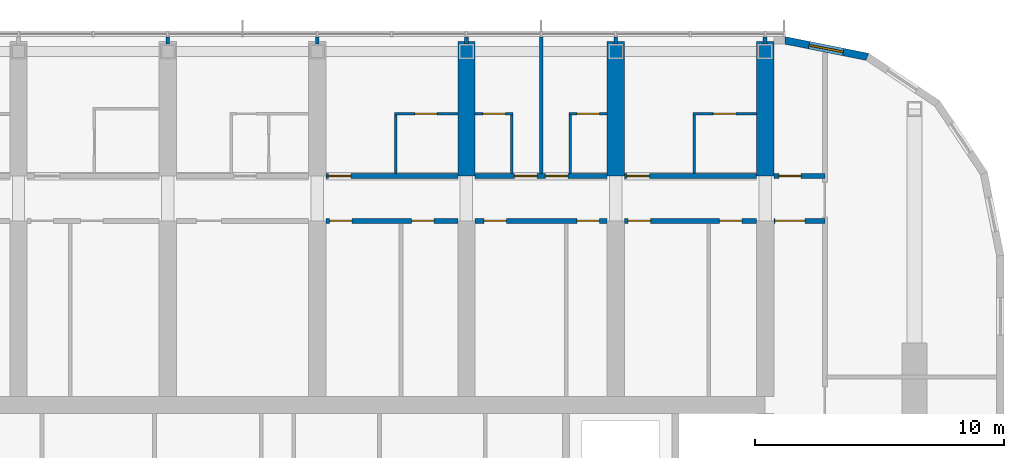
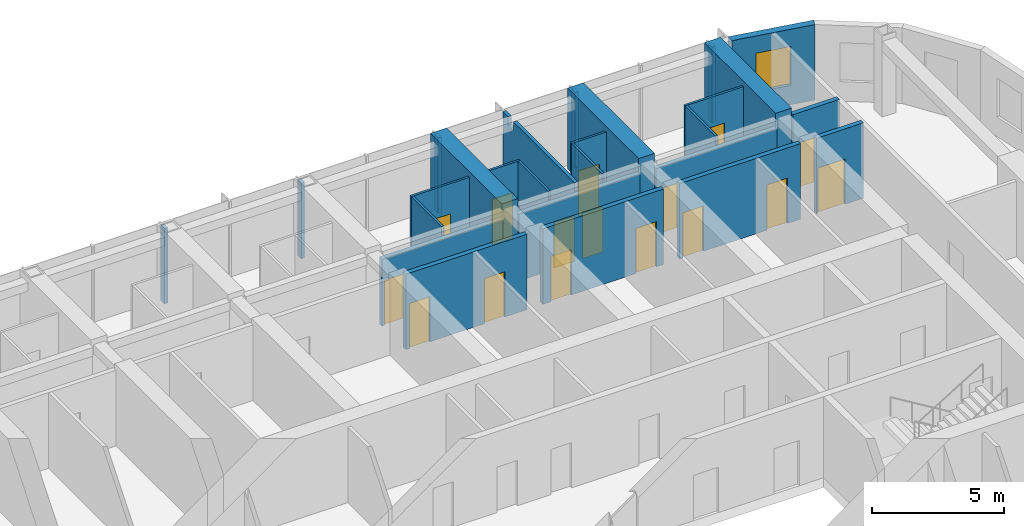
# One storey, part 20 of 28: 26 walls, 16 doors, 1 window, 17 openings.
"""IFC4 building model written with IfcOpenShell, lengths in metres."""

from ifc_helpers import new_model, si_unit, direction, frame, frame_2d, origin, place, context, subcontext, project, spatial, polyline, rectangle, outline, extrude, material, layer, layer_set, type_object, element, fill, save


model = new_model("IFC4")

# Units and contexts
model_context = context("Model", 3, precision=1e-05, world=origin(), true_north=direction((0.0, 1.0)))
body_context = subcontext(model_context, "Body", "Model", "MODEL_VIEW")
ifc_project = project(units=[si_unit("LENGTHUNIT", "METRE"), si_unit("AREAUNIT", "SQUARE_METRE"), si_unit("VOLUMEUNIT", "CUBIC_METRE"), si_unit("PLANEANGLEUNIT", "RADIAN"), si_unit("MASSUNIT", "GRAM", prefix="KILO")], contexts=[model_context])

# Site, building, storey
site_placement = place(None, origin())
site = spatial("IfcSite", under=ifc_project, at=site_placement, CompositionType="ELEMENT")
building_placement = place(site_placement, origin())
building = spatial("IfcBuilding", under=site, at=building_placement, Name="Orbita Commons", CompositionType="ELEMENT")
storey_placement = place(building_placement, frame((0.0, 0.0, 216.550048828125)))
storey = spatial("IfcBuildingStorey", under=building, at=storey_placement, Name="L53", CompositionType="ELEMENT", Elevation=216.550048828125)

# Wall, opening, door
ifc_material_1 = material(Name="Concrete blockwork", Category="masonry")
ifc_layer_1 = layer(ifc_material_1, 0.199951171875)
ifc_layer_set_1 = layer_set([ifc_layer_1], Name="Concrete blockwork")
wall_type_1 = type_object("IfcWallType", Name="Corridor wall 200 blockwork", PredefinedType="SOLIDWALL", material=ifc_layer_set_1)
wall_1_placement = place(storey_placement, frame((48.35009765625, 47.39990234375, 0.0), z_axis=(0.0, 0.0, 1.0), x_axis=(1.0, 0.0, 0.0)))
wall_1 = element("IfcWall", 1, at=wall_1_placement, inside=storey, type_object=wall_type_1, Name="Corridor wall 200 blockwork L53", PredefinedType="SOLIDWALL", context=body_context, shape_type="SweptSolid", body=[
    extrude(outline(polyline([(0.0, 0.0), (5.2998046875, 0.0), (5.300048828125, 3.099853515625), (0.0, 3.099853515625), (0.0, 0.0)])), frame((0.0, 0.10009765625, 0.0), z_axis=(0.0, -1.0, 0.0), x_axis=(1.0, 0.0, 0.0)), (0.0, 0.0, 1.0), 0.199951171875),
])
opening_1_placement = place(wall_1_placement, frame((0.10009765625, 0.0, 0.0)))
opening_1 = element("IfcOpeningElement", 2, at=opening_1_placement, cuts=wall_1, Name="Opening D11", PredefinedType="OPENING", context=body_context, shape_type="SweptSolid", body=[
    extrude(rectangle(XDim=0.89990234375, YDim=2.10009765625, at=frame_2d((0.449951171875, 1.050048828125))), frame((0.0, 0.10986328125, 0.0), z_axis=(0.0, -1.0, 0.0), x_axis=(1.0, 0.0, 0.0)), (0.0, 0.0, 1.0), 0.219970703125),
])
ifc_material_2 = material(Name="Steel-faced fire door leaf", Category="steel")
door_type_1 = type_object("IfcDoorType", Name="Corridor door 20 min 900x2100", OperationType="SINGLE_SWING_LEFT", PredefinedType="DOOR", material=ifc_material_2)
door_1_placement = place(opening_1_placement, origin())
door_1 = element("IfcDoor", 3, at=door_1_placement, inside=storey, type_object=door_type_1, Name="Studio apartment with kitchenette L53-N10 door", OperationType="SINGLE_SWING_LEFT", OverallHeight=2.10009765625, OverallWidth=0.89990234375, PredefinedType="DOOR", context=body_context, shape_type="SweptSolid", body=[
    extrude(rectangle(XDim=0.89990234375, YDim=2.10009765625, at=frame_2d((0.449951171875, 1.050048828125))), frame((0.0, 0.02490234375, 0.0), z_axis=(0.0, -1.0, 0.0), x_axis=(1.0, 0.0, 0.0)), (0.0, 0.0, 1.0), 0.050048828125),
])
fill(opening_1, door_1)

# Wall, openings, doors
wall_2_placement = place(storey_placement, frame((54.35009765625, 47.39990234375, 0.0), z_axis=(0.0, 0.0, 1.0), x_axis=(1.0, 0.0, 0.0)))
wall_2 = element("IfcWall", 4, at=wall_2_placement, inside=storey, type_object=wall_type_1, Name="Corridor wall 200 blockwork L53", PredefinedType="SOLIDWALL", context=body_context, shape_type="SweptSolid", body=[
    extrude(outline(polyline([(0.0, 0.0), (5.2998046875, 0.0), (5.300048828125, 3.099853515625), (0.0, 3.099853515625), (0.0, 0.0)])), frame((0.0, 0.10009765625, 0.0), z_axis=(0.0, -1.0, 0.0), x_axis=(1.0, 0.0, 0.0)), (0.0, 0.0, 1.0), 0.199951171875),
])
opening_2_placement = place(wall_2_placement, frame((1.574951171875, 0.0, 0.0)))
opening_2 = element("IfcOpeningElement", 5, at=opening_2_placement, cuts=wall_2, Name="Opening D11", PredefinedType="OPENING", context=body_context, shape_type="SweptSolid", body=[
    extrude(rectangle(XDim=0.89990234375, YDim=2.10009765625, at=frame_2d((0.449951171875, 1.050048828125))), frame((0.0, 0.10986328125, 0.0), z_axis=(0.0, -1.0, 0.0), x_axis=(1.0, 0.0, 0.0)), (0.0, 0.0, 1.0), 0.219970703125),
])
opening_3_placement = place(wall_2_placement, frame((2.824951171875, 0.0, 0.0)))
opening_3 = element("IfcOpeningElement", 6, at=opening_3_placement, cuts=wall_2, Name="Opening D11", PredefinedType="OPENING", context=body_context, shape_type="SweptSolid", body=[
    extrude(rectangle(XDim=0.89990234375, YDim=2.10009765625, at=frame_2d((0.449951171875, 1.050048828125))), frame((0.0, 0.10986328125, 0.0), z_axis=(0.0, -1.0, 0.0), x_axis=(1.0, 0.0, 0.0)), (0.0, 0.0, 1.0), 0.219970703125),
])
door_2_placement = place(opening_2_placement, origin())
door_2 = element("IfcDoor", 7, at=door_2_placement, inside=storey, type_object=door_type_1, Name="Cluster bedroom L53-N12 door", OperationType="SINGLE_SWING_LEFT", OverallHeight=2.10009765625, OverallWidth=0.89990234375, PredefinedType="DOOR", context=body_context, shape_type="SweptSolid", body=[
    extrude(rectangle(XDim=0.89990234375, YDim=2.10009765625, at=frame_2d((0.449951171875, 1.050048828125))), frame((0.0, 0.02490234375, 0.0), z_axis=(0.0, -1.0, 0.0), x_axis=(1.0, 0.0, 0.0)), (0.0, 0.0, 1.0), 0.050048828125),
])
fill(opening_2, door_2)
door_3_placement = place(opening_3_placement, origin())
door_3 = element("IfcDoor", 8, at=door_3_placement, inside=storey, type_object=door_type_1, Name="Cluster bedroom L53-N13 door", OperationType="SINGLE_SWING_LEFT", OverallHeight=2.10009765625, OverallWidth=0.89990234375, PredefinedType="DOOR", context=body_context, shape_type="SweptSolid", body=[
    extrude(rectangle(XDim=0.89990234375, YDim=2.10009765625, at=frame_2d((0.449951171875, 1.050048828125))), frame((0.0, 0.02490234375, 0.0), z_axis=(0.0, -1.0, 0.0), x_axis=(1.0, 0.0, 0.0)), (0.0, 0.0, 1.0), 0.050048828125),
])
fill(opening_3, door_3)

# Wall, opening, door
wall_3_placement = place(storey_placement, frame((60.35009765625, 47.39990234375, 0.0), z_axis=(0.0, 0.0, 1.0), x_axis=(1.0, 0.0, 0.0)))
wall_3 = element("IfcWall", 9, at=wall_3_placement, inside=storey, type_object=wall_type_1, Name="Corridor wall 200 blockwork L53", PredefinedType="SOLIDWALL", context=body_context, shape_type="SweptSolid", body=[
    extrude(outline(polyline([(0.0, 0.0), (5.2998046875, 0.0), (5.300048828125, 3.099853515625), (0.0, 3.099853515625), (0.0, 0.0)])), frame((0.0, 0.10009765625, 0.0), z_axis=(0.0, -1.0, 0.0), x_axis=(1.0, 0.0, 0.0)), (0.0, 0.0, 1.0), 0.199951171875),
])
opening_4_placement = place(wall_3_placement, frame((0.10009765625, 0.0, 0.0)))
opening_4 = element("IfcOpeningElement", 10, at=opening_4_placement, cuts=wall_3, Name="Opening D11", PredefinedType="OPENING", context=body_context, shape_type="SweptSolid", body=[
    extrude(rectangle(XDim=0.89990234375, YDim=2.10009765625, at=frame_2d((0.449951171875, 1.050048828125))), frame((0.0, 0.10986328125, 0.0), z_axis=(0.0, -1.0, 0.0), x_axis=(1.0, 0.0, 0.0)), (0.0, 0.0, 1.0), 0.219970703125),
])
door_4_placement = place(opening_4_placement, origin())
door_4 = element("IfcDoor", 11, at=door_4_placement, inside=storey, type_object=door_type_1, Name="Studio apartment with kitchenette L53-N14 door", OperationType="SINGLE_SWING_LEFT", OverallHeight=2.10009765625, OverallWidth=0.89990234375, PredefinedType="DOOR", context=body_context, shape_type="SweptSolid", body=[
    extrude(rectangle(XDim=0.89990234375, YDim=2.10009765625, at=frame_2d((0.449951171875, 1.050048828125))), frame((0.0, 0.02490234375, 0.0), z_axis=(0.0, -1.0, 0.0), x_axis=(1.0, 0.0, 0.0)), (0.0, 0.0, 1.0), 0.050048828125),
])
fill(opening_4, door_4)

wall_4_placement = place(storey_placement, frame((66.35009765625, 47.39990234375, 0.0), z_axis=(0.0, 0.0, 1.0), x_axis=(1.0, 0.0, 0.0)))
wall_4 = element("IfcWall", 12, at=wall_4_placement, inside=storey, type_object=wall_type_1, Name="Corridor wall 200 blockwork L53", PredefinedType="SOLIDWALL", context=body_context, shape_type="SweptSolid", body=[
    extrude(rectangle(XDim=2.0498046875, YDim=0.199951171875, at=frame_2d((1.02490234375, 0.0))), origin(), (0.0, 0.0, 1.0), 3.5),
])
opening_5_placement = place(wall_4_placement, frame((0.199951171875, 0.0, 0.0)))
opening_5 = element("IfcOpeningElement", 13, at=opening_5_placement, cuts=wall_4, Name="Opening D05", PredefinedType="OPENING", context=body_context, shape_type="SweptSolid", body=[
    extrude(rectangle(XDim=0.89990234375, YDim=2.10009765625, at=frame_2d((0.449951171875, 1.050048828125))), frame((0.0, 0.10986328125, 0.0), z_axis=(0.0, -1.0, 0.0), x_axis=(1.0, 0.0, 0.0)), (0.0, 0.0, 1.0), 0.219970703125),
])
ifc_material_3 = material(Name="Steel-faced fire door leaf", Category="steel")
door_type_2 = type_object("IfcDoorType", Name="Service door 20 min 900x2100", OperationType="SINGLE_SWING_LEFT", PredefinedType="DOOR", material=ifc_material_3)
door_5_placement = place(opening_5_placement, origin())
door_5 = element("IfcDoor", 14, at=door_5_placement, inside=storey, type_object=door_type_2, Name="Linen store L53-KEN door", OperationType="SINGLE_SWING_LEFT", OverallHeight=2.10009765625, OverallWidth=0.89990234375, PredefinedType="DOOR", context=body_context, shape_type="SweptSolid", body=[
    extrude(rectangle(XDim=0.89990234375, YDim=2.10009765625, at=frame_2d((0.449951171875, 1.050048828125))), frame((0.0, 0.02490234375, 0.0), z_axis=(0.0, -1.0, 0.0), x_axis=(1.0, 0.0, 0.0)), (0.0, 0.0, 1.0), 0.050048828125),
])
fill(opening_5, door_5)

# Wall, openings, doors
ifc_material_4 = material(Name="Hollow concrete block 200", Category="concrete")
ifc_layer_2 = layer(ifc_material_4, 0.199951171875)
ifc_layer_set_2 = layer_set([ifc_layer_2], Name="Hollow concrete block 200")
wall_type_2 = type_object("IfcWallType", Name="Corridor wall 200 hollow concrete block", PredefinedType="SOLIDWALL", material=ifc_layer_set_2)
wall_5_placement = place(storey_placement, frame((48.35009765625, 45.60009765625, 0.0), z_axis=(0.0, 0.0, 1.0), x_axis=(1.0, 0.0, 0.0)))
wall_5 = element("IfcWall", 15, at=wall_5_placement, inside=storey, type_object=wall_type_2, Name="Corridor wall 200 hollow concrete block L53", PredefinedType="SOLIDWALL", context=body_context, shape_type="SweptSolid", body=[
    extrude(rectangle(XDim=5.2998046875, YDim=0.199951171875, at=frame_2d((2.64990234375, 0.0))), origin(), (0.0, 0.0, 1.0), 3.5),
])
opening_6_placement = place(wall_5_placement, frame((0.14990234375, 0.0, 0.0)))
opening_6 = element("IfcOpeningElement", 16, at=opening_6_placement, cuts=wall_5, Name="Opening D11", PredefinedType="OPENING", context=body_context, shape_type="SweptSolid", body=[
    extrude(rectangle(XDim=0.89990234375, YDim=2.10009765625, at=frame_2d((0.449951171875, 1.050048828125))), frame((0.0, 0.10986328125, 0.0), z_axis=(0.0, -1.0, 0.0), x_axis=(1.0, 0.0, 0.0)), (0.0, 0.0, 1.0), 0.219970703125),
])
opening_7_placement = place(wall_5_placement, frame((3.445068359375, 0.0, 0.0)))
opening_7 = element("IfcOpeningElement", 17, at=opening_7_placement, cuts=wall_5, Name="Opening D11", PredefinedType="OPENING", context=body_context, shape_type="SweptSolid", body=[
    extrude(rectangle(XDim=0.89990234375, YDim=2.10009765625, at=frame_2d((0.449951171875, 1.050048828125))), frame((0.0, 0.10986328125, 0.0), z_axis=(0.0, -1.0, 0.0), x_axis=(1.0, 0.0, 0.0)), (0.0, 0.0, 1.0), 0.219970703125),
])
door_6_placement = place(opening_6_placement, origin())
door_6 = element("IfcDoor", 18, at=door_6_placement, inside=storey, type_object=door_type_1, Name="Bulk and luggage store L53-BDN48 door", OperationType="SINGLE_SWING_LEFT", OverallHeight=2.10009765625, OverallWidth=0.89990234375, PredefinedType="DOOR", context=body_context, shape_type="SweptSolid", body=[
    extrude(rectangle(XDim=0.89990234375, YDim=2.10009765625, at=frame_2d((0.449951171875, 1.050048828125))), frame((0.0, 0.02490234375, 0.0), z_axis=(0.0, -1.0, 0.0), x_axis=(1.0, 0.0, 0.0)), (0.0, 0.0, 1.0), 0.050048828125),
])
fill(opening_6, door_6)
door_7_placement = place(opening_7_placement, origin())
door_7 = element("IfcDoor", 19, at=door_7_placement, inside=storey, type_object=door_type_1, Name="Sprinkler valve room L53-BDN48n door", OperationType="SINGLE_SWING_LEFT", OverallHeight=2.10009765625, OverallWidth=0.89990234375, PredefinedType="DOOR", context=body_context, shape_type="SweptSolid", body=[
    extrude(rectangle(XDim=0.89990234375, YDim=2.10009765625, at=frame_2d((0.449951171875, 1.050048828125))), frame((0.0, 0.02490234375, 0.0), z_axis=(0.0, -1.0, 0.0), x_axis=(1.0, 0.0, 0.0)), (0.0, 0.0, 1.0), 0.050048828125),
])
fill(opening_7, door_7)

wall_6_placement = place(storey_placement, frame((54.35009765625, 45.60009765625, 0.0), z_axis=(0.0, 0.0, 1.0), x_axis=(1.0, 0.0, 0.0)))
wall_6 = element("IfcWall", 20, at=wall_6_placement, inside=storey, type_object=wall_type_2, Name="Corridor wall 200 hollow concrete block L53", PredefinedType="SOLIDWALL", context=body_context, shape_type="SweptSolid", body=[
    extrude(rectangle(XDim=5.2998046875, YDim=0.199951171875, at=frame_2d((2.64990234375, 0.0))), origin(), (0.0, 0.0, 1.0), 3.5),
])
opening_8_placement = place(wall_6_placement, frame((0.35009765625, 0.0, 0.0)))
opening_8 = element("IfcOpeningElement", 21, at=opening_8_placement, cuts=wall_6, Name="Opening D11", PredefinedType="OPENING", context=body_context, shape_type="SweptSolid", body=[
    extrude(rectangle(XDim=0.89990234375, YDim=2.10009765625, at=frame_2d((0.449951171875, 1.050048828125))), frame((0.0, 0.10986328125, 0.0), z_axis=(0.0, -1.0, 0.0), x_axis=(1.0, 0.0, 0.0)), (0.0, 0.0, 1.0), 0.219970703125),
])
opening_9_placement = place(wall_6_placement, frame((4.090087890625, 0.0, 0.0)))
opening_9 = element("IfcOpeningElement", 22, at=opening_9_placement, cuts=wall_6, Name="Opening D11", PredefinedType="OPENING", context=body_context, shape_type="SweptSolid", body=[
    extrude(rectangle(XDim=0.89990234375, YDim=2.10009765625, at=frame_2d((0.449951171875, 1.050048828125))), frame((0.0, 0.10986328125, 0.0), z_axis=(0.0, -1.0, 0.0), x_axis=(1.0, 0.0, 0.0)), (0.0, 0.0, 1.0), 0.219970703125),
])
door_8_placement = place(opening_8_placement, origin())
door_8 = element("IfcDoor", 23, at=door_8_placement, inside=storey, type_object=door_type_1, Name="Parcel and post room L53-BDN54 door", OperationType="SINGLE_SWING_LEFT", OverallHeight=2.10009765625, OverallWidth=0.89990234375, PredefinedType="DOOR", context=body_context, shape_type="SweptSolid", body=[
    extrude(rectangle(XDim=0.89990234375, YDim=2.10009765625, at=frame_2d((0.449951171875, 1.050048828125))), frame((0.0, 0.02490234375, 0.0), z_axis=(0.0, -1.0, 0.0), x_axis=(1.0, 0.0, 0.0)), (0.0, 0.0, 1.0), 0.050048828125),
])
fill(opening_8, door_8)
door_9_placement = place(opening_9_placement, origin())
door_9 = element("IfcDoor", 24, at=door_9_placement, inside=storey, type_object=door_type_1, Name="Battery and UPS room L53-BDN54n door", OperationType="SINGLE_SWING_LEFT", OverallHeight=2.10009765625, OverallWidth=0.89990234375, PredefinedType="DOOR", context=body_context, shape_type="SweptSolid", body=[
    extrude(rectangle(XDim=0.89990234375, YDim=2.10009765625, at=frame_2d((0.449951171875, 1.050048828125))), frame((0.0, 0.02490234375, 0.0), z_axis=(0.0, -1.0, 0.0), x_axis=(1.0, 0.0, 0.0)), (0.0, 0.0, 1.0), 0.050048828125),
])
fill(opening_9, door_9)

wall_7_placement = place(storey_placement, frame((60.35009765625, 45.60009765625, 0.0), z_axis=(0.0, 0.0, 1.0), x_axis=(1.0, 0.0, 0.0)))
wall_7 = element("IfcWall", 25, at=wall_7_placement, inside=storey, type_object=wall_type_2, Name="Corridor wall 200 hollow concrete block L53", PredefinedType="SOLIDWALL", context=body_context, shape_type="SweptSolid", body=[
    extrude(rectangle(XDim=5.2998046875, YDim=0.199951171875, at=frame_2d((2.64990234375, 0.0))), origin(), (0.0, 0.0, 1.0), 3.5),
])
opening_10_placement = place(wall_7_placement, frame((0.14990234375, 0.0, 0.0)))
opening_10 = element("IfcOpeningElement", 26, at=opening_10_placement, cuts=wall_7, Name="Opening D11", PredefinedType="OPENING", context=body_context, shape_type="SweptSolid", body=[
    extrude(rectangle(XDim=0.89990234375, YDim=2.10009765625, at=frame_2d((0.449951171875, 1.050048828125))), frame((0.0, 0.10986328125, 0.0), z_axis=(0.0, -1.0, 0.0), x_axis=(1.0, 0.0, 0.0)), (0.0, 0.0, 1.0), 0.219970703125),
])
opening_11_placement = place(wall_7_placement, frame((3.81494140625, 0.0, 0.0)))
opening_11 = element("IfcOpeningElement", 27, at=opening_11_placement, cuts=wall_7, Name="Opening D11", PredefinedType="OPENING", context=body_context, shape_type="SweptSolid", body=[
    extrude(rectangle(XDim=0.89990234375, YDim=2.10009765625, at=frame_2d((0.449951171875, 1.050048828125))), frame((0.0, 0.10986328125, 0.0), z_axis=(0.0, -1.0, 0.0), x_axis=(1.0, 0.0, 0.0)), (0.0, 0.0, 1.0), 0.219970703125),
])
door_10_placement = place(opening_10_placement, origin())
door_10 = element("IfcDoor", 28, at=door_10_placement, inside=storey, type_object=door_type_1, Name="Drying room L53-BDN60 door", OperationType="SINGLE_SWING_LEFT", OverallHeight=2.10009765625, OverallWidth=0.89990234375, PredefinedType="DOOR", context=body_context, shape_type="SweptSolid", body=[
    extrude(rectangle(XDim=0.89990234375, YDim=2.10009765625, at=frame_2d((0.449951171875, 1.050048828125))), frame((0.0, 0.02490234375, 0.0), z_axis=(0.0, -1.0, 0.0), x_axis=(1.0, 0.0, 0.0)), (0.0, 0.0, 1.0), 0.050048828125),
])
fill(opening_10, door_10)
door_11_placement = place(opening_11_placement, origin())
door_11 = element("IfcDoor", 29, at=door_11_placement, inside=storey, type_object=door_type_1, Name="Sprinkler valve room L53-BDN60n door", OperationType="SINGLE_SWING_LEFT", OverallHeight=2.10009765625, OverallWidth=0.89990234375, PredefinedType="DOOR", context=body_context, shape_type="SweptSolid", body=[
    extrude(rectangle(XDim=0.89990234375, YDim=2.10009765625, at=frame_2d((0.449951171875, 1.050048828125))), frame((0.0, 0.02490234375, 0.0), z_axis=(0.0, -1.0, 0.0), x_axis=(1.0, 0.0, 0.0)), (0.0, 0.0, 1.0), 0.050048828125),
])
fill(opening_11, door_11)

# Wall, opening, door
wall_8_placement = place(storey_placement, frame((66.35009765625, 45.60009765625, 0.0), z_axis=(0.0, 0.0, 1.0), x_axis=(1.0, 0.0, 0.0)))
wall_8 = element("IfcWall", 30, at=wall_8_placement, inside=storey, type_object=wall_type_2, Name="Corridor wall 200 hollow concrete block L53", PredefinedType="SOLIDWALL", context=body_context, shape_type="SweptSolid", body=[
    extrude(rectangle(XDim=2.0498046875, YDim=0.199951171875, at=frame_2d((1.02490234375, 0.0))), origin(), (0.0, 0.0, 1.0), 3.5),
])
opening_12_placement = place(wall_8_placement, frame((0.050048828125, 0.0, 0.0)))
opening_12 = element("IfcOpeningElement", 31, at=opening_12_placement, cuts=wall_8, Name="Opening D12", PredefinedType="OPENING", context=body_context, shape_type="SweptSolid", body=[
    extrude(rectangle(XDim=1.199951171875, YDim=2.10009765625, at=frame_2d((0.60009765625, 1.050048828125))), frame((0.0, 0.10986328125, 0.0), z_axis=(0.0, -1.0, 0.0), x_axis=(1.0, 0.0, 0.0)), (0.0, 0.0, 1.0), 0.219970703125),
])
ifc_material_5 = material(Name="Steel-faced fire door leaf", Category="steel")
door_type_3 = type_object("IfcDoorType", Name="Double corridor door 20 min 1200x2100", OperationType="DOUBLE_DOOR_SINGLE_SWING", PredefinedType="DOOR", material=ifc_material_5)
door_12_placement = place(opening_12_placement, origin())
door_12 = element("IfcDoor", 32, at=door_12_placement, inside=storey, type_object=door_type_3, Name="Cross corridor doors", OperationType="DOUBLE_DOOR_SINGLE_SWING", OverallHeight=2.10009765625, OverallWidth=1.199951171875, PredefinedType="DOOR", context=body_context, shape_type="SweptSolid", body=[
    extrude(rectangle(XDim=1.199951171875, YDim=2.10009765625, at=frame_2d((0.60009765625, 1.050048828125))), frame((0.0, 0.02490234375, 0.0), z_axis=(0.0, -1.0, 0.0), x_axis=(1.0, 0.0, 0.0)), (0.0, 0.0, 1.0), 0.050048828125),
])
fill(opening_12, door_12)

# Walls
ifc_material_6 = material(Name="Concrete C50/60", Category="concrete")
ifc_layer_3 = layer(ifc_material_6, 0.699951171875)
ifc_layer_set_3 = layer_set([ifc_layer_3], Name="Concrete C50/60")
wall_type_3 = type_object("IfcWallType", Name="Cross wall 700 C50/60", PredefinedType="SHEAR", material=ifc_layer_set_3)
for number, where, z_axis, x_axis, name in (
    (33, (54.0, 47.39990234375, 0.0), (0.0, 0.0, 1.0), (0.0, 1.0, 0.0), "Cross wall 10 north outer L53"),
    (34, (60.0, 47.39990234375, 0.0), (0.0, 0.0, 1.0), (0.0, 1.0, 0.0), "Cross wall 11 north outer L53"),
    (35, (66.0, 47.39990234375, 0.0), (0.0, 0.0, 1.0), (0.0, 1.0, 0.0), "Cross wall 12 north outer L53"),
):
    element("IfcWall", number, at=place(storey_placement, frame(where, z_axis=z_axis, x_axis=x_axis)), inside=storey, type_object=wall_type_3, Name=name, PredefinedType="SHEAR", context=body_context, shape_type="SweptSolid", body=[
        extrude(rectangle(XDim=5.400146484375, YDim=0.699951171875, at=frame_2d((2.7001953125, 0.0))), origin(), (0.0, 0.0, 1.0), 3.75),
    ])

# Wall, opening, door
ifc_material_7 = material(Name="Moisture-resistant plasterboard on steel studs", Category="steel")
ifc_layer_4 = layer(ifc_material_7, 0.10009765625)
ifc_layer_set_4 = layer_set([ifc_layer_4], Name="Moisture-resistant plasterboard on steel studs")
wall_type_4 = type_object("IfcWallType", Name="En-suite partition 100", PredefinedType="PARTITIONING", material=ifc_layer_set_4)
wall_9_placement = place(storey_placement, frame((51.10009765625, 49.89990234375, 0.0), z_axis=(0.0, 0.0, 1.0), x_axis=(1.0, 0.0, 0.0)))
wall_9 = element("IfcWall", 36, at=wall_9_placement, inside=storey, type_object=wall_type_4, Name="En-suite partition 100 L53", PredefinedType="PARTITIONING", context=body_context, shape_type="SweptSolid", body=[
    extrude(rectangle(XDim=2.5498046875, YDim=0.10009765625, at=frame_2d((1.27490234375, 0.0))), origin(), (0.0, 0.0, 1.0), 3.5),
])
opening_13_placement = place(wall_9_placement, frame((0.824951171875, 0.0, 0.0)))
opening_13 = element("IfcOpeningElement", 37, at=opening_13_placement, cuts=wall_9, Name="Opening D09", PredefinedType="OPENING", context=body_context, shape_type="SweptSolid", body=[
    extrude(rectangle(XDim=0.89990234375, YDim=2.10009765625, at=frame_2d((0.449951171875, 1.050048828125))), frame((0.0, 0.06005859375, 0.0), z_axis=(0.0, -1.0, 0.0), x_axis=(1.0, 0.0, 0.0)), (0.0, 0.0, 1.0), 0.1201171875),
])
ifc_material_8 = material(Name="Laminated timber door leaf", Category="wood")
door_type_4 = type_object("IfcDoorType", Name="En-suite door 900x2100", OperationType="SINGLE_SWING_RIGHT", PredefinedType="DOOR", material=ifc_material_8)
door_13_placement = place(opening_13_placement, origin())
door_13 = element("IfcDoor", 38, at=door_13_placement, inside=storey, type_object=door_type_4, Name="En-suite L53-N10 door", OperationType="SINGLE_SWING_RIGHT", OverallHeight=2.10009765625, OverallWidth=0.89990234375, PredefinedType="DOOR", context=body_context, shape_type="SweptSolid", body=[
    extrude(rectangle(XDim=0.89990234375, YDim=2.10009765625, at=frame_2d((0.449951171875, 1.050048828125))), frame((0.0, 0.02490234375, 0.0), z_axis=(0.0, -1.0, 0.0), x_axis=(1.0, 0.0, 0.0)), (0.0, 0.0, 1.0), 0.050048828125),
])
fill(opening_13, door_13)

# Wall
wall_10_placement = place(storey_placement, frame((51.14990234375, 49.85009765625, 0.0), z_axis=(0.0, 0.0, 1.0), x_axis=(0.0, -1.0, 0.0)))
element("IfcWall", 39, at=wall_10_placement, inside=storey, type_object=wall_type_4, Name="En-suite partition 100 L53", PredefinedType="PARTITIONING", context=body_context, shape_type="SweptSolid", body=[
    extrude(outline(polyline([(0.0, 0.0), (2.35009765625, 0.0), (2.35009765625, 3.099853515625), (2.302001953125, 3.099853515625), (2.300048828125, 3.5), (0.0, 3.5), (0.0, 0.0)])), frame((0.0, 0.050048828125, 0.0), z_axis=(0.0, -1.0, 0.0), x_axis=(1.0, 0.0, 0.0)), (0.0, 0.0, 1.0), 0.10009765625),
])

# Wall, opening, door
wall_11_placement = place(storey_placement, frame((54.35009765625, 49.89990234375, 0.0), z_axis=(0.0, 0.0, 1.0), x_axis=(1.0, 0.0, 0.0)))
wall_11 = element("IfcWall", 40, at=wall_11_placement, inside=storey, type_object=wall_type_4, Name="En-suite partition 100 L53", PredefinedType="PARTITIONING", context=body_context, shape_type="SweptSolid", body=[
    extrude(rectangle(XDim=1.52490234375, YDim=0.10009765625, at=frame_2d((0.762451171875, 0.0))), origin(), (0.0, 0.0, 1.0), 3.5),
])
opening_14_placement = place(wall_11_placement, frame((0.3125, 0.0, 0.0)))
opening_14 = element("IfcOpeningElement", 41, at=opening_14_placement, cuts=wall_11, Name="Opening D09", PredefinedType="OPENING", context=body_context, shape_type="SweptSolid", body=[
    extrude(rectangle(XDim=0.89990234375, YDim=2.10009765625, at=frame_2d((0.449951171875, 1.050048828125))), frame((0.0, 0.06005859375, 0.0), z_axis=(0.0, -1.0, 0.0), x_axis=(1.0, 0.0, 0.0)), (0.0, 0.0, 1.0), 0.1201171875),
])
door_14_placement = place(opening_14_placement, origin())
door_14 = element("IfcDoor", 42, at=door_14_placement, inside=storey, type_object=door_type_4, Name="En-suite L53-N12 door", OperationType="SINGLE_SWING_RIGHT", OverallHeight=2.10009765625, OverallWidth=0.89990234375, PredefinedType="DOOR", context=body_context, shape_type="SweptSolid", body=[
    extrude(rectangle(XDim=0.89990234375, YDim=2.10009765625, at=frame_2d((0.449951171875, 1.050048828125))), frame((0.0, 0.02490234375, 0.0), z_axis=(0.0, -1.0, 0.0), x_axis=(1.0, 0.0, 0.0)), (0.0, 0.0, 1.0), 0.050048828125),
])
fill(opening_14, door_14)

# Wall
wall_12_placement = place(storey_placement, frame((55.824951171875, 49.85009765625, 0.0), z_axis=(0.0, 0.0, 1.0), x_axis=(0.0, -1.0, 0.0)))
element("IfcWall", 43, at=wall_12_placement, inside=storey, type_object=wall_type_4, Name="En-suite partition 100 L53", PredefinedType="PARTITIONING", context=body_context, shape_type="SweptSolid", body=[
    extrude(outline(polyline([(0.0, 0.0), (2.35009765625, 0.0), (2.35009765625, 3.099853515625), (2.302001953125, 3.099853515625), (2.300048828125, 3.5), (0.0, 3.5), (0.0, 0.0)])), frame((0.0, 0.050048828125, 0.0), z_axis=(0.0, -1.0, 0.0), x_axis=(1.0, 0.0, 0.0)), (0.0, 0.0, 1.0), 0.10009765625),
])

# Wall, opening, door
wall_13_placement = place(storey_placement, frame((58.125, 49.89990234375, 0.0), z_axis=(0.0, 0.0, 1.0), x_axis=(1.0, 0.0, 0.0)))
wall_13 = element("IfcWall", 44, at=wall_13_placement, inside=storey, type_object=wall_type_4, Name="En-suite partition 100 L53", PredefinedType="PARTITIONING", context=body_context, shape_type="SweptSolid", body=[
    extrude(rectangle(XDim=1.52490234375, YDim=0.10009765625, at=frame_2d((0.762451171875, 0.0))), origin(), (0.0, 0.0, 1.0), 3.5),
])
opening_15_placement = place(wall_13_placement, frame((0.3125, 0.0, 0.0)))
opening_15 = element("IfcOpeningElement", 45, at=opening_15_placement, cuts=wall_13, Name="Opening D09", PredefinedType="OPENING", context=body_context, shape_type="SweptSolid", body=[
    extrude(rectangle(XDim=0.89990234375, YDim=2.10009765625, at=frame_2d((0.449951171875, 1.050048828125))), frame((0.0, 0.06005859375, 0.0), z_axis=(0.0, -1.0, 0.0), x_axis=(1.0, 0.0, 0.0)), (0.0, 0.0, 1.0), 0.1201171875),
])
door_15_placement = place(opening_15_placement, origin())
door_15 = element("IfcDoor", 46, at=door_15_placement, inside=storey, type_object=door_type_4, Name="En-suite L53-N13 door", OperationType="SINGLE_SWING_RIGHT", OverallHeight=2.10009765625, OverallWidth=0.89990234375, PredefinedType="DOOR", context=body_context, shape_type="SweptSolid", body=[
    extrude(rectangle(XDim=0.89990234375, YDim=2.10009765625, at=frame_2d((0.449951171875, 1.050048828125))), frame((0.0, 0.02490234375, 0.0), z_axis=(0.0, -1.0, 0.0), x_axis=(1.0, 0.0, 0.0)), (0.0, 0.0, 1.0), 0.050048828125),
])
fill(opening_15, door_15)

# Wall
wall_14_placement = place(storey_placement, frame((58.175048828125, 49.85009765625, 0.0), z_axis=(0.0, 0.0, 1.0), x_axis=(0.0, -1.0, 0.0)))
element("IfcWall", 47, at=wall_14_placement, inside=storey, type_object=wall_type_4, Name="En-suite partition 100 L53", PredefinedType="PARTITIONING", context=body_context, shape_type="SweptSolid", body=[
    extrude(outline(polyline([(0.0, 0.0), (2.35009765625, 0.0), (2.35009765625, 3.099853515625), (2.302001953125, 3.099853515625), (2.300048828125, 3.5), (0.0, 3.5), (0.0, 0.0)])), frame((0.0, 0.050048828125, 0.0), z_axis=(0.0, -1.0, 0.0), x_axis=(1.0, 0.0, 0.0)), (0.0, 0.0, 1.0), 0.10009765625),
])

# Wall, opening, door
wall_15_placement = place(storey_placement, frame((63.10009765625, 49.89990234375, 0.0), z_axis=(0.0, 0.0, 1.0), x_axis=(1.0, 0.0, 0.0)))
wall_15 = element("IfcWall", 48, at=wall_15_placement, inside=storey, type_object=wall_type_4, Name="En-suite partition 100 L53", PredefinedType="PARTITIONING", context=body_context, shape_type="SweptSolid", body=[
    extrude(rectangle(XDim=2.5498046875, YDim=0.10009765625, at=frame_2d((1.27490234375, 0.0))), origin(), (0.0, 0.0, 1.0), 3.5),
])
opening_16_placement = place(wall_15_placement, frame((0.824951171875, 0.0, 0.0)))
opening_16 = element("IfcOpeningElement", 49, at=opening_16_placement, cuts=wall_15, Name="Opening D09", PredefinedType="OPENING", context=body_context, shape_type="SweptSolid", body=[
    extrude(rectangle(XDim=0.89990234375, YDim=2.10009765625, at=frame_2d((0.449951171875, 1.050048828125))), frame((0.0, 0.06005859375, 0.0), z_axis=(0.0, -1.0, 0.0), x_axis=(1.0, 0.0, 0.0)), (0.0, 0.0, 1.0), 0.1201171875),
])
door_16_placement = place(opening_16_placement, origin())
door_16 = element("IfcDoor", 50, at=door_16_placement, inside=storey, type_object=door_type_4, Name="En-suite L53-N14 door", OperationType="SINGLE_SWING_RIGHT", OverallHeight=2.10009765625, OverallWidth=0.89990234375, PredefinedType="DOOR", context=body_context, shape_type="SweptSolid", body=[
    extrude(rectangle(XDim=0.89990234375, YDim=2.10009765625, at=frame_2d((0.449951171875, 1.050048828125))), frame((0.0, 0.02490234375, 0.0), z_axis=(0.0, -1.0, 0.0), x_axis=(1.0, 0.0, 0.0)), (0.0, 0.0, 1.0), 0.050048828125),
])
fill(opening_16, door_16)

# Walls
wall_16_placement = place(storey_placement, frame((63.14990234375, 49.85009765625, 0.0), z_axis=(0.0, 0.0, 1.0), x_axis=(0.0, -1.0, 0.0)))
element("IfcWall", 51, at=wall_16_placement, inside=storey, type_object=wall_type_4, Name="En-suite partition 100 L53", PredefinedType="PARTITIONING", context=body_context, shape_type="SweptSolid", body=[
    extrude(outline(polyline([(0.0, 0.0), (2.35009765625, 0.0), (2.35009765625, 3.099853515625), (2.302001953125, 3.099853515625), (2.300048828125, 3.5), (0.0, 3.5), (0.0, 0.0)])), frame((0.0, 0.050048828125, 0.0), z_axis=(0.0, -1.0, 0.0), x_axis=(1.0, 0.0, 0.0)), (0.0, 0.0, 1.0), 0.10009765625),
])
ifc_material_9 = material(Name="Gypsum plasterboard on steel studs", Category="steel")
ifc_layer_5 = layer(ifc_material_9, 0.14990234375)
ifc_layer_set_5 = layer_set([ifc_layer_5], Name="Gypsum plasterboard on steel studs")
wall_type_5 = type_object("IfcWallType", Name="Partition 150 plasterboard", PredefinedType="PARTITIONING", material=ifc_layer_set_5)
for number, where, z_axis, x_axis, name in (
    (52, (42.0, 52.699951171875, 0.0), (0.0, 0.0, 1.0), (0.0, 1.0, 0.0), "Partition 150 plasterboard L53"),
    (53, (48.0, 52.699951171875, 0.0), (0.0, 0.0, 1.0), (0.0, 1.0, 0.0), "Partition 150 plasterboard L53"),
    (54, (54.0, 52.699951171875, 0.0), (0.0, 0.0, 1.0), (0.0, 1.0, 0.0), "Partition 150 plasterboard L53"),
    (55, (60.0, 52.699951171875, 0.0), (0.0, 0.0, 1.0), (0.0, 1.0, 0.0), "Partition 150 plasterboard L53"),
    (56, (66.0, 52.699951171875, 0.0), (0.0, 0.0, 1.0), (0.0, 1.0, 0.0), "Partition 150 plasterboard L53"),
):
    element("IfcWall", number, at=place(storey_placement, frame(where, z_axis=z_axis, x_axis=x_axis)), inside=storey, type_object=wall_type_5, Name=name, PredefinedType="PARTITIONING", context=body_context, shape_type="SweptSolid", body=[
        extrude(rectangle(XDim=0.2900390625, YDim=0.14990234375, at=frame_2d((0.14501953125, 0.0))), origin(), (0.0, 0.0, 1.0), 3.5),
    ])
ifc_material_10 = material(Name="Gypsum plasterboard on steel studs", Category="steel")
ifc_layer_6 = layer(ifc_material_10, 0.14990234375)
ifc_layer_set_6 = layer_set([ifc_layer_6], Name="Gypsum plasterboard on steel studs")
wall_type_6 = type_object("IfcWallType", Name="Party wall 150 plasterboard", PredefinedType="PARTITIONING", material=ifc_layer_set_6)
wall_17_placement = place(storey_placement, frame((57.0, 52.989990234375, 0.0), z_axis=(0.0, 0.0, 1.0), x_axis=(0.0, -1.0, 0.0)))
element("IfcWall", 57, at=wall_17_placement, inside=storey, type_object=wall_type_6, Name="Party wall 150 plasterboard L53", PredefinedType="PARTITIONING", context=body_context, shape_type="SweptSolid", body=[
    extrude(outline(polyline([(0.0, 0.0), (5.489990234375, 0.0), (5.489990234375, 3.099853515625), (5.44189453125, 3.099853515625), (5.43994140625, 3.5), (0.7919921875, 3.5), (0.7900390625, 3.099853515625), (0.39208984375, 3.099853515625), (0.389892578125, 3.5), (0.0, 3.5), (0.0, 0.0)])), frame((0.0, 0.074951171875, 0.0), z_axis=(0.0, -1.0, 0.0), x_axis=(1.0, 0.0, 0.0)), (0.0, 0.0, 1.0), 0.14990234375),
])

# Wall, opening, window
ifc_material_11 = material(Name="Precast concrete C40/50, white board-marked finish", Category="concrete")
ifc_layer_7 = layer(ifc_material_11, 0.300048828125)
ifc_layer_set_7 = layer_set([ifc_layer_7], Name="Precast concrete C40/50, white board-marked finish")
wall_type_7 = type_object("IfcWallType", Name="Precast concrete end shield 300", PredefinedType="SOLIDWALL", material=ifc_layer_set_7)
wall_18_placement = place(storey_placement, frame((70.110107421875, 52.191650390625, 0.0), z_axis=(0.0, 0.0, 1.0), x_axis=(-0.98078325777, 0.195100490205, 0.0)))
wall_18 = element("IfcWall", 58, at=wall_18_placement, inside=storey, type_object=wall_type_7, Name="End shield NE chord 4 L53", PredefinedType="SOLIDWALL", context=body_context, shape_type="SweptSolid", body=[
    extrude(outline(polyline([(-0.02978515625, -0.14990234375), (3.40478515625, -0.14990234375), (3.34521484375, 0.14990234375), (0.02978515625, 0.14990234375), (-0.02978515625, -0.14990234375)])), origin(), (0.0, 0.0, 1.0), 3.5),
])
opening_17_placement = place(wall_18_placement, frame((0.987548828125, 0.0, 0.89990234375)))
opening_17 = element("IfcOpeningElement", 59, at=opening_17_placement, cuts=wall_18, Name="Opening W02", PredefinedType="OPENING", context=body_context, shape_type="SweptSolid", body=[
    extrude(rectangle(XDim=1.39990234375, YDim=1.800048828125, at=frame_2d((0.699951171875, 0.89990234375))), frame((0.0, 0.159912109375, 0.0), z_axis=(0.0, -1.0, 0.0), x_axis=(1.0, 0.0, 0.0)), (0.0, 0.0, 1.0), 0.320068359375),
])
ifc_material_12 = material(Name="Aluminium frame, clear double glazing", Category="aluminium")
window_type = type_object("IfcWindowType", Name="Deep-set window 1400x1800", PartitioningType="SINGLE_PANEL", PredefinedType="WINDOW", material=ifc_material_12)
window_placement = place(opening_17_placement, origin())
window = element("IfcWindow", 60, at=window_placement, inside=storey, type_object=window_type, Name="Window L53-NE3", OverallHeight=1.800048828125, OverallWidth=1.39990234375, PartitioningType="SINGLE_PANEL", PredefinedType="WINDOW", context=body_context, shape_type="SweptSolid", body=[
    extrude(rectangle(XDim=1.39990234375, YDim=1.800048828125, at=frame_2d((0.699951171875, 0.89990234375))), frame((0.0, 0.030029296875, 0.0), z_axis=(0.0, -1.0, 0.0), x_axis=(1.0, 0.0, 0.0)), (0.0, 0.0, 1.0), 0.06005859375),
])
fill(opening_17, window)

save(model, "model.ifc")
